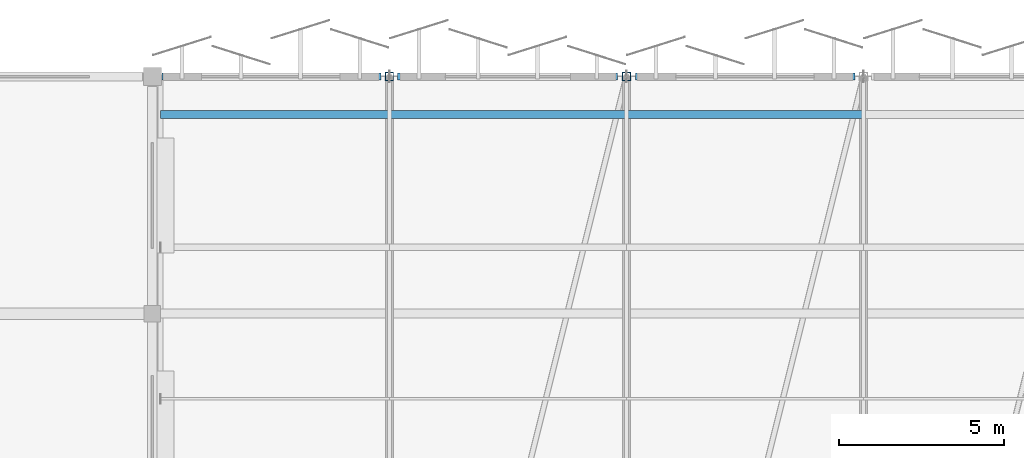
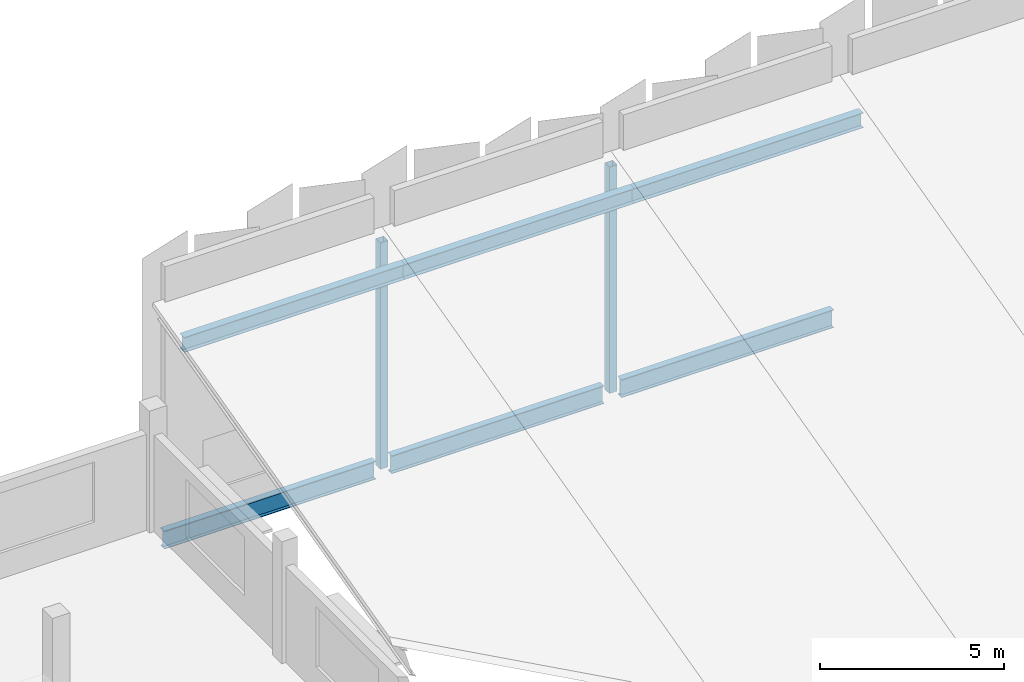
# One storey, part 28 of 108: 5 members, 3 beams.
"""IFC4 building model written with IfcOpenShell, lengths in metres."""

from ifc_helpers import new_model, si_unit, direction, frame, origin, origin_2d, place, context, subcontext, project, spatial, hollow_rectangle, i_section, extrude, material, material_profile, profile_set, type_object, element, save


model = new_model("IFC4")

# Units and contexts
model_context = context("Model", 3, precision=1e-05, world=origin(), true_north=direction((0.0, 1.0)))
body_context = subcontext(model_context, "Body", "Model", "MODEL_VIEW")
ifc_project = project(units=[si_unit("LENGTHUNIT", "METRE"), si_unit("AREAUNIT", "SQUARE_METRE"), si_unit("VOLUMEUNIT", "CUBIC_METRE"), si_unit("PLANEANGLEUNIT", "RADIAN"), si_unit("MASSUNIT", "GRAM", prefix="KILO")], contexts=[model_context])

# Site, building, storey
site_placement = place(None, origin())
site = spatial("IfcSite", under=ifc_project, at=site_placement, CompositionType="ELEMENT")
building_placement = place(site_placement, origin())
building = spatial("IfcBuilding", under=site, at=building_placement, Name="Kangsadwip Square Police Headquarters", CompositionType="ELEMENT")
storey_placement = place(building_placement, frame((0.0, 0.0, 9.449951171875)))
storey = spatial("IfcBuildingStorey", under=building, at=storey_placement, Name="L02", CompositionType="ELEMENT", Elevation=9.449951171875)

# Beams
ifc_material_1 = material(Name="Structural steel IS 2062 E350 (Grade 350, 350 MPa)", Category="steel")
ifc_material_profile_1 = material_profile(ifc_material_1, i_section(OverallWidth=0.2099609375, OverallDepth=0.60009765625, WebThickness=0.011962890625, FlangeThickness=0.020751953125, at=origin_2d()), Name="ISMB 600")
ifc_profile_set_1 = profile_set([ifc_material_profile_1], Name="Structural steel IS 2062 E350 (Grade 350, 350 MPa)")
beam_type = type_object("IfcBeamType", Name="SteelBeamIsmb600", PredefinedType="BEAM", material=ifc_profile_set_1)
beam_placement = place(storey_placement, frame((43.5, 115.199951171875, -0.5400390625), z_axis=(1.0, 0.0, 0.0), x_axis=(0.0, 1.0, 0.0)))
element("IfcBeam", 1, at=beam_placement, inside=storey, type_object=beam_type, Name="Beam BM-L02-EAVE-0378", PredefinedType="BEAM", context=body_context, shape_type="SweptSolid", body=[
    extrude(i_section(OverallWidth=0.2099609375, OverallDepth=0.60009765625, WebThickness=0.011962890625, FlangeThickness=0.020751953125, at=origin_2d()), origin(), (0.0, 0.0, 1.0), 6.64990234375),
])
for number, where, z_axis, x_axis, name in (
    (2, (50.64990234375, 115.199951171875, -0.5400390625), (1.0, 0.0, 0.0), (0.0, 1.0, 0.0), "Beam BM-L02-EAVE-0379"),
    (3, (57.875, 115.199951171875, -0.5400390625), (1.0, 0.0, 0.0), (0.0, 1.0, 0.0), "Beam BM-L02-EAVE-0380"),
):
    element("IfcBeam", number, at=place(storey_placement, frame(where, z_axis=z_axis, x_axis=x_axis)), inside=storey, type_object=beam_type, Name=name, PredefinedType="BEAM", context=body_context, shape_type="SweptSolid", body=[
        extrude(i_section(OverallWidth=0.2099609375, OverallDepth=0.60009765625, WebThickness=0.011962890625, FlangeThickness=0.020751953125, at=origin_2d()), origin(), (0.0, 0.0, 1.0), 6.675048828125),
    ])

# Members
ifc_material_2 = material(Name="Structural steel IS 2062 E350 (Grade 350, 350 MPa)", Category="steel")
ifc_material_profile_2 = material_profile(ifc_material_2, hollow_rectangle(XDim=0.25, YDim=0.25, WallThickness=0.011962890625, at=origin_2d()), Name="SHS 250X250X12")
ifc_profile_set_2 = profile_set([ifc_material_profile_2], Name="Structural steel IS 2062 E350 (Grade 350, 350 MPa)")
member_type_1 = type_object("IfcMemberType", Name="TrussPostShs250", PredefinedType="POST", material=ifc_profile_set_2)
for number, where, z_axis, x_axis, name in (
    (4, (50.39990234375, 115.199951171875, -0.550048828125), (0.0, 0.0, 1.0), (1.0, 0.0, 0.0), "Truss Member MEM-L02-0012"),
    (5, (57.60009765625, 115.199951171875, -0.550048828125), (0.0, 0.0, 1.0), (1.0, 0.0, 0.0), "Truss Member MEM-L02-0024"),
):
    element("IfcMember", number, at=place(storey_placement, frame(where, z_axis=z_axis, x_axis=x_axis)), inside=storey, type_object=member_type_1, Name=name, PredefinedType="POST", context=body_context, shape_type="SweptSolid", body=[
        extrude(hollow_rectangle(XDim=0.25, YDim=0.25, WallThickness=0.011962890625, at=origin_2d()), origin(), (0.0, 0.0, 1.0), 7.530029296875),
    ])
ifc_material_3 = material(Name="Structural steel IS 2062 E350 (Grade 350, 350 MPa)", Category="steel")
ifc_material_profile_3 = material_profile(ifc_material_3, i_section(OverallWidth=0.25, OverallDepth=0.5, WebThickness=0.010009765625, FlangeThickness=0.0146484375, at=origin_2d()), Name="ISWB 500")
ifc_profile_set_3 = profile_set([ifc_material_profile_3], Name="Structural steel IS 2062 E350 (Grade 350, 350 MPa)")
member_type_2 = type_object("IfcMemberType", Name="TrussTopChordIswb500", PredefinedType="CHORD", material=ifc_profile_set_3)
member_1_placement = place(storey_placement, frame((43.449951171875, 114.048095703125, 6.674072265625), z_axis=(1.0, 0.0, 0.0), x_axis=(0.0, 1.0, 0.0)))
element("IfcMember", 6, at=member_1_placement, inside=storey, type_object=member_type_2, Name="Truss Member MEM-L02-0083", PredefinedType="CHORD", context=body_context, shape_type="SweptSolid", body=[
    extrude(i_section(OverallWidth=0.25, OverallDepth=0.5, WebThickness=0.010009765625, FlangeThickness=0.0146484375, at=origin_2d()), origin(), (0.0, 0.0, 1.0), 6.949951171875),
])
member_2_placement = place(storey_placement, frame((50.39990234375, 114.048095703125, 6.674072265625), z_axis=(1.0, 0.0, 0.0), x_axis=(0.0, 1.0, 0.0)))
element("IfcMember", 7, at=member_2_placement, inside=storey, type_object=member_type_2, Name="Truss Member MEM-L02-0088", PredefinedType="CHORD", context=body_context, shape_type="SweptSolid", body=[
    extrude(i_section(OverallWidth=0.25, OverallDepth=0.5, WebThickness=0.010009765625, FlangeThickness=0.0146484375, at=origin_2d()), origin(), (0.0, 0.0, 1.0), 7.2001953125),
])
member_3_placement = place(storey_placement, frame((57.60009765625, 114.048095703125, 6.674072265625), z_axis=(1.0, 0.0, 0.0), x_axis=(0.0, 1.0, 0.0)))
element("IfcMember", 8, at=member_3_placement, inside=storey, type_object=member_type_2, Name="Truss Member MEM-L02-0094", PredefinedType="CHORD", context=body_context, shape_type="SweptSolid", body=[
    extrude(i_section(OverallWidth=0.25, OverallDepth=0.5, WebThickness=0.010009765625, FlangeThickness=0.0146484375, at=origin_2d()), origin(), (0.0, 0.0, 1.0), 7.199951171875),
])

save(model, "model.ifc")
